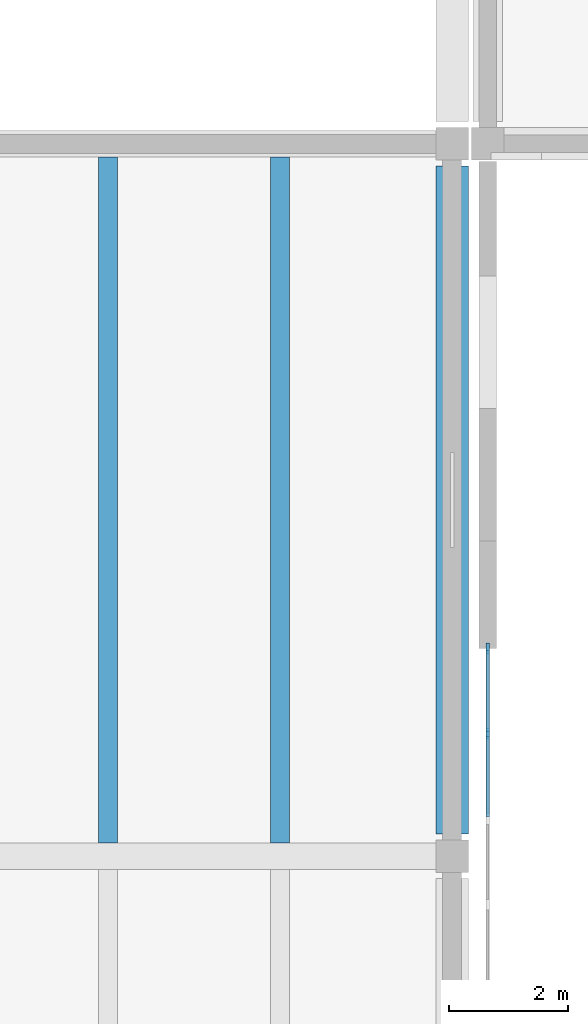
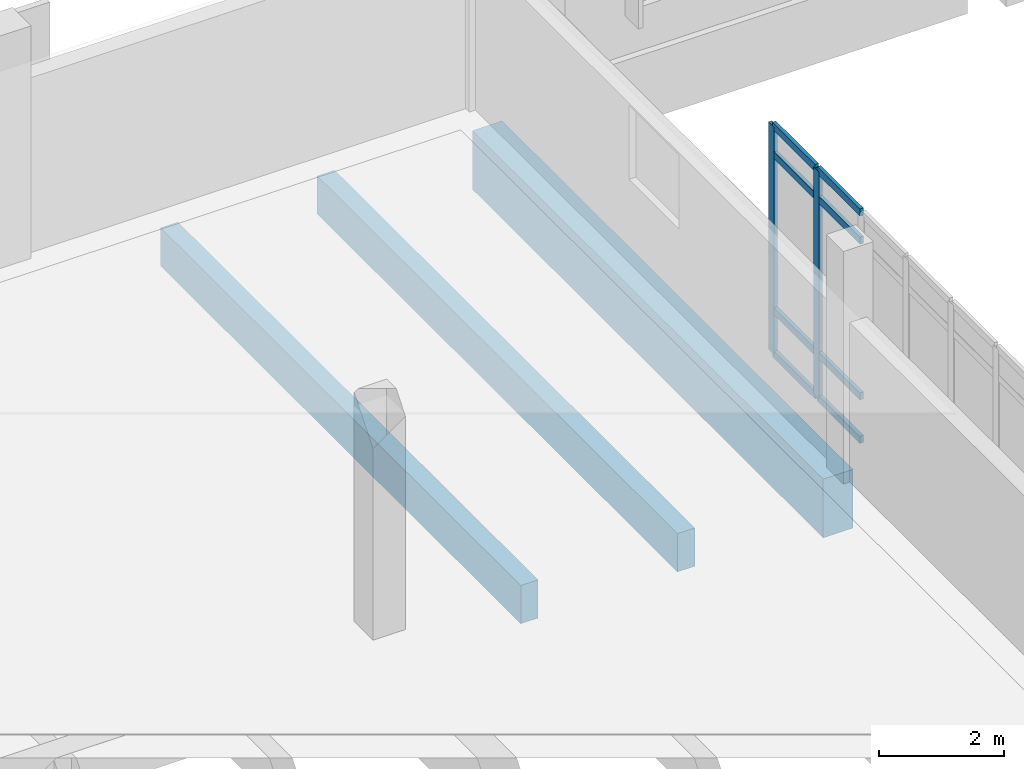
# One storey, part 11 of 63: 10 members, 3 beams, 1 element without a shape of its own.
"""IFC4 building model written with IfcOpenShell, lengths in metres."""

from ifc_helpers import new_model, si_unit, direction, frame, origin, origin_2d, place, context, subcontext, project, spatial, rectangle, extrude, material, layer, layer_set, material_profile, profile_set, type_object, element, aggregate, save


model = new_model("IFC4")

# Units and contexts
model_context = context("Model", 3, precision=1e-05, world=origin(), true_north=direction((0.0, 1.0)))
body_context = subcontext(model_context, "Body", "Model", "MODEL_VIEW")
ifc_project = project(units=[si_unit("LENGTHUNIT", "METRE"), si_unit("AREAUNIT", "SQUARE_METRE"), si_unit("VOLUMEUNIT", "CUBIC_METRE"), si_unit("PLANEANGLEUNIT", "RADIAN"), si_unit("MASSUNIT", "GRAM", prefix="KILO")], contexts=[model_context])

# Site, building, storey
site_placement = place(None, origin())
site = spatial("IfcSite", under=ifc_project, at=site_placement, CompositionType="ELEMENT")
building_placement = place(site_placement, origin())
building = spatial("IfcBuilding", under=site, at=building_placement, Name="Zacnel Wholesale Market", CompositionType="ELEMENT")
storey_placement = place(building_placement, frame((0.0, 0.0, 11.199951171875)))
storey = spatial("IfcBuildingStorey", under=building, at=storey_placement, Name="L03", CompositionType="ELEMENT", Elevation=11.199951171875)

# Beams
ifc_material_1 = material(Name="Precast concrete C45/55", Category="concrete")
ifc_material_profile_1 = material_profile(ifc_material_1, rectangle(XDim=0.320068359375, YDim=0.75, at=origin_2d()), Name="DT RIB 320x750")
ifc_profile_set_1 = profile_set([ifc_material_profile_1], Name="Precast concrete C45/55")
beam_type_1 = type_object("IfcBeamType", Name="BM-DT750", PredefinedType="JOIST", material=ifc_profile_set_1)
for number, where, z_axis, x_axis, name in (
    (1, (65.89990234375, 120.22509765625, -0.675048828125), (0.0, 1.0, 0.0), (-1.0, 0.0, 0.0), "Precast secondary joist L03-0603"),
    (2, (68.800048828125, 120.22509765625, -0.675048828125), (0.0, 1.0, 0.0), (-1.0, 0.0, 0.0), "Precast secondary joist L03-0604"),
):
    element("IfcBeam", number, at=place(storey_placement, frame(where, z_axis=z_axis, x_axis=x_axis)), inside=storey, type_object=beam_type_1, Name=name, PredefinedType="JOIST", context=body_context, shape_type="SweptSolid", body=[
        extrude(rectangle(XDim=0.320068359375, YDim=0.75, at=origin_2d()), origin(), (0.0, 0.0, 1.0), 11.5498046875),
    ])
ifc_material_2 = material(Name="Precast concrete C45/55", Category="concrete")
ifc_material_profile_2 = material_profile(ifc_material_2, rectangle(XDim=0.550048828125, YDim=1.14990234375, at=origin_2d()), Name="PG 550x1150")
ifc_profile_set_2 = profile_set([ifc_material_profile_2], Name="Precast concrete C45/55")
beam_type_2 = type_object("IfcBeamType", Name="BM-PG1150", PredefinedType="T_BEAM", material=ifc_profile_set_2)
beam_placement = place(storey_placement, frame((71.699951171875, 120.375, -0.875), z_axis=(0.0, 1.0, 0.0), x_axis=(-1.0, 0.0, 0.0)))
element("IfcBeam", 3, at=beam_placement, inside=storey, type_object=beam_type_2, Name="Precast girder Y-0881", PredefinedType="T_BEAM", context=body_context, shape_type="SweptSolid", body=[
    extrude(rectangle(XDim=0.550048828125, YDim=1.14990234375, at=origin_2d()), origin(), (0.0, 0.0, 1.0), 11.25),
])

# Curtain wall, members
ifc_material_3 = material(Name="Anodised aluminium", Category="aluminium")
ifc_layer = layer(ifc_material_3, 0.159912109375)
ifc_layer_set = layer_set([ifc_layer], Name="Anodised aluminium")
curtain_wall_type = type_object("IfcCurtainWallType", Name="CW-NAVE-4200", PredefinedType="NOTDEFINED", material=ifc_layer_set)
curtain_wall_placement = place(storey_placement, origin())
curtain_wall = element("IfcCurtainWall", 4, at=curtain_wall_placement, inside=storey, type_object=curtain_wall_type, Name="Curtain wall ENV-CW-GABLE-NW-W", PredefinedType="NOTDEFINED")
ifc_material_4 = material(Name="Anodised aluminium", Category="aluminium")
ifc_material_profile_3 = material_profile(ifc_material_4, rectangle(XDim=0.06494140625, YDim=0.179931640625, at=origin_2d()), Name="AW-MULLION 65x180")
ifc_profile_set_3 = profile_set([ifc_material_profile_3], Name="Anodised aluminium")
member_type_1 = type_object("IfcMemberType", Name="CWM-MUL-03", PredefinedType="MULLION", material=ifc_profile_set_3)
member_1_placement = place(storey_placement, frame((72.300048828125, 122.0615234375, 0.0), z_axis=(0.0, 0.0, 1.0), x_axis=(1.0, 0.0, 0.0)))
member_1 = element("IfcMember", 5, at=member_1_placement, type_object=member_type_1, Name="ENV-CW-GABLE-NW-W mullion 13", PredefinedType="MULLION", context=body_context, shape_type="SweptSolid", body=[
    extrude(rectangle(XDim=0.06494140625, YDim=0.179931640625, at=origin_2d()), origin(), (0.0, 0.0, 1.0), 4.449951171875),
])
member_2_placement = place(storey_placement, frame((72.300048828125, 123.5, 0.0), z_axis=(0.0, 0.0, 1.0), x_axis=(1.0, 0.0, 0.0)))
member_2 = element("IfcMember", 6, at=member_2_placement, type_object=member_type_1, Name="ENV-CW-GABLE-NW-W mullion 14", PredefinedType="MULLION", context=body_context, shape_type="SweptSolid", body=[
    extrude(rectangle(XDim=0.06494140625, YDim=0.179931640625, at=origin_2d()), origin(), (0.0, 0.0, 1.0), 4.449951171875),
])
ifc_material_5 = material(Name="Anodised aluminium", Category="aluminium")
ifc_material_profile_4 = material_profile(ifc_material_5, rectangle(XDim=0.06494140625, YDim=0.139892578125, at=origin_2d()), Name="AW-TRANSOM 65x140")
ifc_profile_set_4 = profile_set([ifc_material_profile_4], Name="Anodised aluminium")
member_type_2 = type_object("IfcMemberType", Name="CWM-TRN-03", PredefinedType="USERDEFINED", material=ifc_profile_set_4)
member_3_placement = place(storey_placement, frame((72.300048828125, 120.658203125, 0.0), z_axis=(0.0, 1.0, 0.0), x_axis=(-1.0, 0.0, 0.0)))
member_3 = element("IfcMember", 7, at=member_3_placement, type_object=member_type_2, Name="ENV-CW-GABLE-NW-W transom 12-1", ObjectType="TRANSOM", PredefinedType="USERDEFINED", context=body_context, shape_type="SweptSolid", body=[
    extrude(rectangle(XDim=0.06494140625, YDim=0.139892578125, at=origin_2d()), origin(), (0.0, 0.0, 1.0), 1.368408203125),
])
member_4_placement = place(storey_placement, frame((72.300048828125, 120.658203125, 0.85009765625), z_axis=(0.0, 1.0, 0.0), x_axis=(-1.0, 0.0, 0.0)))
member_4 = element("IfcMember", 8, at=member_4_placement, type_object=member_type_2, Name="ENV-CW-GABLE-NW-W transom 12-2", ObjectType="TRANSOM", PredefinedType="USERDEFINED", context=body_context, shape_type="SweptSolid", body=[
    extrude(rectangle(XDim=0.06494140625, YDim=0.139892578125, at=origin_2d()), origin(), (0.0, 0.0, 1.0), 1.368408203125),
])
member_5_placement = place(storey_placement, frame((72.300048828125, 120.658203125, 3.900146484375), z_axis=(0.0, 1.0, 0.0), x_axis=(-1.0, 0.0, 0.0)))
member_5 = element("IfcMember", 9, at=member_5_placement, type_object=member_type_2, Name="ENV-CW-GABLE-NW-W transom 12-3", ObjectType="TRANSOM", PredefinedType="USERDEFINED", context=body_context, shape_type="SweptSolid", body=[
    extrude(rectangle(XDim=0.06494140625, YDim=0.139892578125, at=origin_2d()), origin(), (0.0, 0.0, 1.0), 1.368408203125),
])
member_6_placement = place(storey_placement, frame((72.300048828125, 120.658203125, 4.449951171875), z_axis=(0.0, 1.0, 0.0), x_axis=(-1.0, 0.0, 0.0)))
member_6 = element("IfcMember", 10, at=member_6_placement, type_object=member_type_2, Name="ENV-CW-GABLE-NW-W transom 12-4", ObjectType="TRANSOM", PredefinedType="USERDEFINED", context=body_context, shape_type="SweptSolid", body=[
    extrude(rectangle(XDim=0.06494140625, YDim=0.139892578125, at=origin_2d()), origin(), (0.0, 0.0, 1.0), 1.368408203125),
])
member_7_placement = place(storey_placement, frame((72.300048828125, 122.096435546875, 0.0), z_axis=(0.0, 1.0, 0.0), x_axis=(-1.0, 0.0, 0.0)))
member_7 = element("IfcMember", 11, at=member_7_placement, type_object=member_type_2, Name="ENV-CW-GABLE-NW-W transom 13-1", ObjectType="TRANSOM", PredefinedType="USERDEFINED", context=body_context, shape_type="SweptSolid", body=[
    extrude(rectangle(XDim=0.06494140625, YDim=0.139892578125, at=origin_2d()), origin(), (0.0, 0.0, 1.0), 1.36865234375),
])
member_8_placement = place(storey_placement, frame((72.300048828125, 122.096435546875, 0.85009765625), z_axis=(0.0, 1.0, 0.0), x_axis=(-1.0, 0.0, 0.0)))
member_8 = element("IfcMember", 12, at=member_8_placement, type_object=member_type_2, Name="ENV-CW-GABLE-NW-W transom 13-2", ObjectType="TRANSOM", PredefinedType="USERDEFINED", context=body_context, shape_type="SweptSolid", body=[
    extrude(rectangle(XDim=0.06494140625, YDim=0.139892578125, at=origin_2d()), origin(), (0.0, 0.0, 1.0), 1.36865234375),
])
member_9_placement = place(storey_placement, frame((72.300048828125, 122.096435546875, 3.900146484375), z_axis=(0.0, 1.0, 0.0), x_axis=(-1.0, 0.0, 0.0)))
member_9 = element("IfcMember", 13, at=member_9_placement, type_object=member_type_2, Name="ENV-CW-GABLE-NW-W transom 13-3", ObjectType="TRANSOM", PredefinedType="USERDEFINED", context=body_context, shape_type="SweptSolid", body=[
    extrude(rectangle(XDim=0.06494140625, YDim=0.139892578125, at=origin_2d()), origin(), (0.0, 0.0, 1.0), 1.36865234375),
])
member_10_placement = place(storey_placement, frame((72.300048828125, 122.096435546875, 4.449951171875), z_axis=(0.0, 1.0, 0.0), x_axis=(-1.0, 0.0, 0.0)))
member_10 = element("IfcMember", 14, at=member_10_placement, type_object=member_type_2, Name="ENV-CW-GABLE-NW-W transom 13-4", ObjectType="TRANSOM", PredefinedType="USERDEFINED", context=body_context, shape_type="SweptSolid", body=[
    extrude(rectangle(XDim=0.06494140625, YDim=0.139892578125, at=origin_2d()), origin(), (0.0, 0.0, 1.0), 1.36865234375),
])
aggregate(curtain_wall, [member_1, member_2, member_3, member_4, member_5, member_6, member_7, member_8, member_9, member_10])

save(model, "model.ifc")
